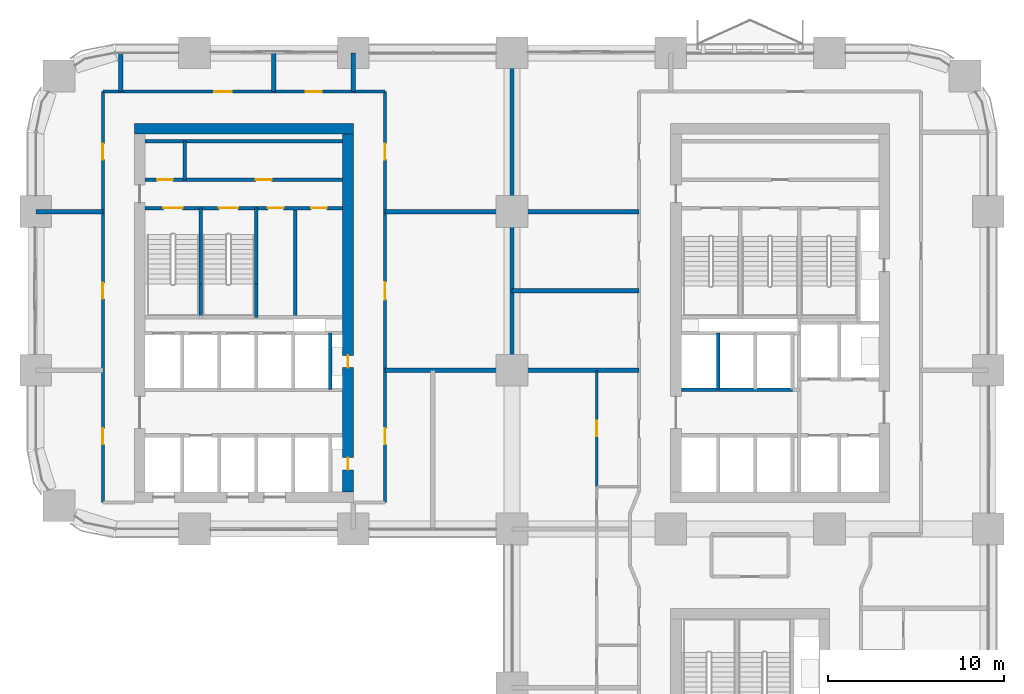
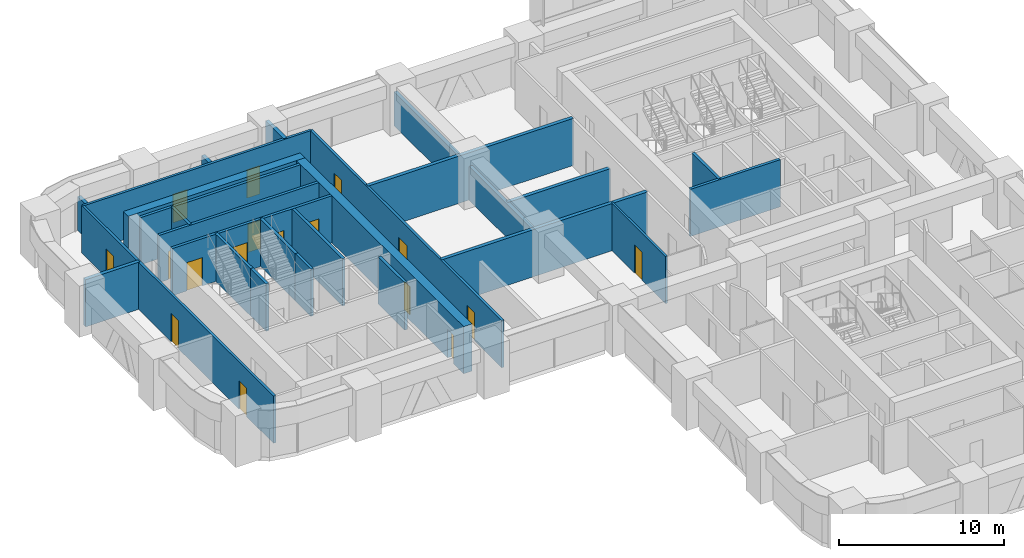
# One storey, part 14 of 26: 27 walls, 17 doors, 17 openings.
"""IFC4 building model written with IfcOpenShell, lengths in metres."""

from ifc_helpers import new_model, si_unit, direction, frame, frame_2d, origin, place, context, subcontext, project, spatial, rectangle, extrude, material, layer, layer_set, type_object, element, fill, save


model = new_model("IFC4")

# Units and contexts
model_context = context("Model", 3, precision=1e-05, world=origin(), true_north=direction((0.0, 1.0)))
body_context = subcontext(model_context, "Body", "Model", "MODEL_VIEW")
ifc_project = project(units=[si_unit("LENGTHUNIT", "METRE"), si_unit("AREAUNIT", "SQUARE_METRE"), si_unit("VOLUMEUNIT", "CUBIC_METRE"), si_unit("PLANEANGLEUNIT", "RADIAN"), si_unit("MASSUNIT", "GRAM", prefix="KILO")], contexts=[model_context])

# Site, building, storey
site_placement = place(None, origin())
site = spatial("IfcSite", under=ifc_project, at=site_placement, CompositionType="ELEMENT")
building_placement = place(site_placement, origin())
building = spatial("IfcBuilding", under=site, at=building_placement, Name="Tessera Arch", CompositionType="ELEMENT")
storey_placement = place(building_placement, frame((0.0, 0.0, 96.800048828125)))
storey = spatial("IfcBuildingStorey", under=building, at=storey_placement, Name="L22", CompositionType="ELEMENT", Elevation=96.800048828125)

# Walls
ifc_material_1 = material(Name="Gypsum board on steel stud", Category="steel")
ifc_layer_1 = layer(ifc_material_1, 0.125)
ifc_layer_set_1 = layer_set([ifc_layer_1], Name="Core partition 125 EI 60")
wall_type_1 = type_object("IfcWallType", Name="Core partition 125 EI 60", PredefinedType="PARTITIONING", material=ifc_layer_set_1)
wall_1_placement = place(storey_placement, frame((8.43994140625, 46.800048828125, 0.0), z_axis=(0.0, 0.0, 1.0), x_axis=(0.0, 1.0, 0.0)))
element("IfcWall", 1, at=wall_1_placement, inside=storey, type_object=wall_type_1, Name="L22 C2 partition wall 3", PredefinedType="PARTITIONING", context=body_context, shape_type="SweptSolid", body=[
    extrude(rectangle(XDim=2.199951171875, YDim=0.199951171875, at=frame_2d((1.10009765625, 0.0))), origin(), (0.0, 0.0, 1.0), 3.5),
])
wall_2_placement = place(storey_placement, frame((14.705078125, 39.0, 0.0), z_axis=(0.0, 0.0, 1.0), x_axis=(0.0, 1.0, 0.0)))
element("IfcWall", 2, at=wall_2_placement, inside=storey, type_object=wall_type_1, Name="L22 C2 partition wall 14", PredefinedType="PARTITIONING", context=body_context, shape_type="SweptSolid", body=[
    extrude(rectangle(XDim=6.199951171875, YDim=0.199951171875, at=frame_2d((3.10009765625, 0.0))), origin(), (0.0, 0.0, 1.0), 3.5),
])

# Wall, openings, doors
wall_3_placement = place(storey_placement, frame((12.5, 45.199951171875, 0.0), z_axis=(0.0, 0.0, 1.0), x_axis=(1.0, 0.0, 0.0)))
wall_3 = element("IfcWall", 3, at=wall_3_placement, inside=storey, type_object=wall_type_1, Name="L22 C2 partition wall 24", PredefinedType="PARTITIONING", context=body_context, shape_type="SweptSolid", body=[
    extrude(rectangle(XDim=4.89990234375, YDim=0.199951171875, at=frame_2d((2.449951171875, 0.0))), origin(), (0.0, 0.0, 1.0), 3.5),
])
opening_1_placement = place(wall_3_placement, frame((0.652587890625, 0.0, 0.0)))
opening_1 = element("IfcOpeningElement", 4, at=opening_1_placement, cuts=wall_3, Name="Opening L22-C29", PredefinedType="OPENING", context=body_context, shape_type="SweptSolid", body=[
    extrude(rectangle(XDim=0.89990234375, YDim=2.10009765625, at=frame_2d((0.449951171875, 1.050048828125))), frame((0.0, 0.10986328125, 0.0), z_axis=(0.0, -1.0, 0.0), x_axis=(1.0, 0.0, 0.0)), (0.0, 0.0, 1.0), 0.219970703125),
])
opening_2_placement = place(wall_3_placement, frame((3.1025390625, 0.0, 0.0)))
opening_2 = element("IfcOpeningElement", 5, at=opening_2_placement, cuts=wall_3, Name="Opening L22-C30", PredefinedType="OPENING", context=body_context, shape_type="SweptSolid", body=[
    extrude(rectangle(XDim=0.89990234375, YDim=2.10009765625, at=frame_2d((0.449951171875, 1.050048828125))), frame((0.0, 0.10986328125, 0.0), z_axis=(0.0, -1.0, 0.0), x_axis=(1.0, 0.0, 0.0)), (0.0, 0.0, 1.0), 0.219970703125),
])
ifc_material_2 = material(Name="Steel door leaf", Category="steel")
door_type_1 = type_object("IfcDoorType", Name="Store door FD30S 900 x 2100", OperationType="SINGLE_SWING_LEFT", PredefinedType="DOOR", material=ifc_material_2)
door_1_placement = place(opening_1_placement, origin())
door_1 = element("IfcDoor", 6, at=door_1_placement, inside=storey, type_object=door_type_1, Name="L22 C2 door 17 C29 type D09", OperationType="SINGLE_SWING_LEFT", OverallHeight=2.10009765625, OverallWidth=0.89990234375, PredefinedType="DOOR", context=body_context, shape_type="SweptSolid", body=[
    extrude(rectangle(XDim=0.89990234375, YDim=2.10009765625, at=frame_2d((0.449951171875, 1.050048828125))), frame((0.0, 0.02490234375, 0.0), z_axis=(0.0, -1.0, 0.0), x_axis=(1.0, 0.0, 0.0)), (0.0, 0.0, 1.0), 0.050048828125),
])
fill(opening_1, door_1)
door_2_placement = place(opening_2_placement, origin())
door_2 = element("IfcDoor", 7, at=door_2_placement, inside=storey, type_object=door_type_1, Name="L22 C2 door 18 C30 type D09", OperationType="SINGLE_SWING_RIGHT", OverallHeight=2.10009765625, OverallWidth=0.89990234375, PredefinedType="DOOR", context=body_context, shape_type="SweptSolid", body=[
    extrude(rectangle(XDim=0.89990234375, YDim=2.10009765625, at=frame_2d((0.449951171875, 1.050048828125))), frame((0.0, 0.02490234375, 0.0), z_axis=(0.0, -1.0, 0.0), x_axis=(1.0, 0.0, 0.0)), (0.0, 0.0, 1.0), 0.050048828125),
])
fill(opening_2, door_2)

wall_4_placement = place(storey_placement, frame((6.199951171875, 46.800048828125, 0.0), z_axis=(0.0, 0.0, 1.0), x_axis=(1.0, 0.0, 0.0)))
wall_4 = element("IfcWall", 8, at=wall_4_placement, inside=storey, type_object=wall_type_1, Name="L22 C2 partition wall 26", PredefinedType="PARTITIONING", context=body_context, shape_type="SweptSolid", body=[
    extrude(rectangle(XDim=11.199951171875, YDim=0.199951171875, at=frame_2d((5.60009765625, 0.0))), origin(), (0.0, 0.0, 1.0), 3.5),
])
opening_3_placement = place(wall_4_placement, frame((0.669921875, 0.0, 0.0)))
opening_3 = element("IfcOpeningElement", 9, at=opening_3_placement, cuts=wall_4, Name="Opening L22-C27", PredefinedType="OPENING", context=body_context, shape_type="SweptSolid", body=[
    extrude(rectangle(XDim=0.89990234375, YDim=2.10009765625, at=frame_2d((0.449951171875, 1.050048828125))), frame((0.0, 0.10986328125, 0.0), z_axis=(0.0, -1.0, 0.0), x_axis=(1.0, 0.0, 0.0)), (0.0, 0.0, 1.0), 0.219970703125),
])
opening_4_placement = place(wall_4_placement, frame((6.27001953125, 0.0, 0.0)))
opening_4 = element("IfcOpeningElement", 10, at=opening_4_placement, cuts=wall_4, Name="Opening L22-C28", PredefinedType="OPENING", context=body_context, shape_type="SweptSolid", body=[
    extrude(rectangle(XDim=0.89990234375, YDim=2.10009765625, at=frame_2d((0.449951171875, 1.050048828125))), frame((0.0, 0.10986328125, 0.0), z_axis=(0.0, -1.0, 0.0), x_axis=(1.0, 0.0, 0.0)), (0.0, 0.0, 1.0), 0.219970703125),
])
door_3_placement = place(opening_3_placement, origin())
door_3 = element("IfcDoor", 11, at=door_3_placement, inside=storey, type_object=door_type_1, Name="L22 C2 door 15 C27 type D09", OperationType="SINGLE_SWING_LEFT", OverallHeight=2.10009765625, OverallWidth=0.89990234375, PredefinedType="DOOR", context=body_context, shape_type="SweptSolid", body=[
    extrude(rectangle(XDim=0.89990234375, YDim=2.10009765625, at=frame_2d((0.449951171875, 1.050048828125))), frame((0.0, 0.02490234375, 0.0), z_axis=(0.0, -1.0, 0.0), x_axis=(1.0, 0.0, 0.0)), (0.0, 0.0, 1.0), 0.050048828125),
])
fill(opening_3, door_3)
door_4_placement = place(opening_4_placement, origin())
door_4 = element("IfcDoor", 12, at=door_4_placement, inside=storey, type_object=door_type_1, Name="L22 C2 door 16 C28 type D09", OperationType="SINGLE_SWING_RIGHT", OverallHeight=2.10009765625, OverallWidth=0.89990234375, PredefinedType="DOOR", context=body_context, shape_type="SweptSolid", body=[
    extrude(rectangle(XDim=0.89990234375, YDim=2.10009765625, at=frame_2d((0.449951171875, 1.050048828125))), frame((0.0, 0.02490234375, 0.0), z_axis=(0.0, -1.0, 0.0), x_axis=(1.0, 0.0, 0.0)), (0.0, 0.0, 1.0), 0.050048828125),
])
fill(opening_4, door_4)

# Walls
wall_5_placement = place(storey_placement, frame((6.199951171875, 49.0, 0.0), z_axis=(0.0, 0.0, 1.0), x_axis=(1.0, 0.0, 0.0)))
element("IfcWall", 13, at=wall_5_placement, inside=storey, type_object=wall_type_1, Name="L22 C2 partition wall 27", PredefinedType="PARTITIONING", context=body_context, shape_type="SweptSolid", body=[
    extrude(rectangle(XDim=11.199951171875, YDim=0.199951171875, at=frame_2d((5.60009765625, 0.0))), origin(), (0.0, 0.0, 1.0), 3.5),
])
ifc_material_3 = material(Name="Concrete C70/85", Category="concrete")
ifc_layer_2 = layer(ifc_material_3, 0.60009765625)
ifc_layer_set_2 = layer_set([ifc_layer_2], Name="Core shell wall 600 C70-85")
wall_type_2 = type_object("IfcWallType", Name="Core shell wall 600 C70-85", PredefinedType="SHEAR", material=ifc_layer_set_2)
wall_6_placement = place(storey_placement, frame((5.60009765625, 49.699951171875, 0.0), z_axis=(0.0, 0.0, 1.0), x_axis=(1.0, 0.0, 0.0)))
element("IfcWall", 14, at=wall_6_placement, inside=storey, type_object=wall_type_2, Name="L22 C2 core wall N", PredefinedType="SHEAR", context=body_context, shape_type="SweptSolid", body=[
    extrude(rectangle(XDim=12.39990234375, YDim=0.60009765625, at=frame_2d((6.199951171875, 0.0))), origin(), (0.0, 0.0, 1.0), 3.5),
])

# Wall, openings, doors
wall_7_placement = place(storey_placement, frame((17.699951171875, 29.10009765625, 0.0), z_axis=(0.0, 0.0, 1.0), x_axis=(0.0, 1.0, 0.0)))
wall_7 = element("IfcWall", 15, at=wall_7_placement, inside=storey, type_object=wall_type_2, Name="L22 C2 core wall E", PredefinedType="SHEAR", context=body_context, shape_type="SweptSolid", body=[
    extrude(rectangle(XDim=20.2998046875, YDim=0.60009765625, at=frame_2d((10.14990234375, 0.0))), origin(), (0.0, 0.0, 1.0), 3.5),
])
opening_5_placement = place(wall_7_placement, frame((1.25, 0.0, 0.0)))
opening_5 = element("IfcOpeningElement", 16, at=opening_5_placement, cuts=wall_7, Name="Opening L22-C21", PredefinedType="OPENING", context=body_context, shape_type="SweptSolid", body=[
    extrude(rectangle(XDim=0.699951171875, YDim=2.10009765625, at=frame_2d((0.35009765625, 1.050048828125))), frame((0.0, 0.31005859375, 0.0), z_axis=(0.0, -1.0, 0.0), x_axis=(1.0, 0.0, 0.0)), (0.0, 0.0, 1.0), 0.6201171875),
])
opening_6_placement = place(wall_7_placement, frame((7.050048828125, 0.0, 0.0)))
opening_6 = element("IfcOpeningElement", 17, at=opening_6_placement, cuts=wall_7, Name="Opening L22-C22", PredefinedType="OPENING", context=body_context, shape_type="SweptSolid", body=[
    extrude(rectangle(XDim=0.699951171875, YDim=2.10009765625, at=frame_2d((0.35009765625, 1.050048828125))), frame((0.0, 0.31005859375, 0.0), z_axis=(0.0, -1.0, 0.0), x_axis=(1.0, 0.0, 0.0)), (0.0, 0.0, 1.0), 0.6201171875),
])
ifc_material_4 = material(Name="Steel door leaf", Category="steel")
door_type_2 = type_object("IfcDoorType", Name="Service shaft door FD60 700 x 2100", OperationType="SINGLE_SWING_LEFT", PredefinedType="DOOR", material=ifc_material_4)
door_5_placement = place(opening_5_placement, origin())
door_5 = element("IfcDoor", 18, at=door_5_placement, inside=storey, type_object=door_type_2, Name="L22 C2 door 9 C21 type D07", OperationType="SINGLE_SWING_LEFT", OverallHeight=2.10009765625, OverallWidth=0.699951171875, PredefinedType="DOOR", context=body_context, shape_type="SweptSolid", body=[
    extrude(rectangle(XDim=0.699951171875, YDim=2.10009765625, at=frame_2d((0.35009765625, 1.050048828125))), frame((0.0, 0.02490234375, 0.0), z_axis=(0.0, -1.0, 0.0), x_axis=(1.0, 0.0, 0.0)), (0.0, 0.0, 1.0), 0.050048828125),
])
fill(opening_5, door_5)
door_6_placement = place(opening_6_placement, origin())
door_6 = element("IfcDoor", 19, at=door_6_placement, inside=storey, type_object=door_type_2, Name="L22 C2 door 10 C22 type D07", OperationType="SINGLE_SWING_LEFT", OverallHeight=2.10009765625, OverallWidth=0.699951171875, PredefinedType="DOOR", context=body_context, shape_type="SweptSolid", body=[
    extrude(rectangle(XDim=0.699951171875, YDim=2.10009765625, at=frame_2d((0.35009765625, 1.050048828125))), frame((0.0, 0.02490234375, 0.0), z_axis=(0.0, -1.0, 0.0), x_axis=(1.0, 0.0, 0.0)), (0.0, 0.0, 1.0), 0.050048828125),
])
fill(opening_6, door_6)

ifc_material_5 = material(Name="Gypsum board on deep steel stud with mineral wool", Category="steel")
ifc_layer_3 = layer(ifc_material_5, 0.175048828125)
ifc_layer_set_3 = layer_set([ifc_layer_3], Name="Corridor wall 175 EI 60")
wall_type_3 = type_object("IfcWallType", Name="Corridor wall 175 EI 60", PredefinedType="PARTITIONING", material=ifc_layer_set_3)
wall_8_placement = place(storey_placement, frame((3.800048828125, 51.800048828125, 0.0), z_axis=(0.0, 0.0, 1.0), x_axis=(1.0, 0.0, 0.0)))
wall_8 = element("IfcWall", 20, at=wall_8_placement, inside=storey, type_object=wall_type_3, Name="L22 partition 7", PredefinedType="PARTITIONING", context=body_context, shape_type="SweptSolid", body=[
    extrude(rectangle(XDim=16.0, YDim=0.175048828125, at=frame_2d((8.0, 0.0))), origin(), (0.0, 0.0, 1.0), 3.5),
])
opening_7_placement = place(wall_8_placement, frame((6.314453125, 0.0, 0.0)))
opening_7 = element("IfcOpeningElement", 21, at=opening_7_placement, cuts=wall_8, Name="Opening L22-D034", PredefinedType="OPENING", context=body_context, shape_type="SweptSolid", body=[
    extrude(rectangle(XDim=1.0, YDim=2.10009765625, at=frame_2d((0.5, 1.050048828125))), frame((0.0, 0.097412109375, 0.0), z_axis=(0.0, -1.0, 0.0), x_axis=(1.0, 0.0, 0.0)), (0.0, 0.0, 1.0), 0.195068359375),
])
opening_8_placement = place(wall_8_placement, frame((11.5, 0.0, 0.0)))
opening_8 = element("IfcOpeningElement", 22, at=opening_8_placement, cuts=wall_8, Name="Opening L22-D035", PredefinedType="OPENING", context=body_context, shape_type="SweptSolid", body=[
    extrude(rectangle(XDim=0.89990234375, YDim=2.10009765625, at=frame_2d((0.449951171875, 1.050048828125))), frame((0.0, 0.097412109375, 0.0), z_axis=(0.0, -1.0, 0.0), x_axis=(1.0, 0.0, 0.0)), (0.0, 0.0, 1.0), 0.195068359375),
])
ifc_material_6 = material(Name="Fire-rated door leaf")
door_type_3 = type_object("IfcDoorType", Name="Entrance door FD30S 1000 x 2100", OperationType="SINGLE_SWING_LEFT", PredefinedType="DOOR", material=ifc_material_6)
door_7_placement = place(opening_7_placement, origin())
door_7 = element("IfcDoor", 23, at=door_7_placement, inside=storey, type_object=door_type_3, Name="L22 door D034 type D03", OperationType="SINGLE_SWING_RIGHT", OverallHeight=2.10009765625, OverallWidth=1.0, PredefinedType="DOOR", context=body_context, shape_type="SweptSolid", body=[
    extrude(rectangle(XDim=1.0, YDim=2.10009765625, at=frame_2d((0.5, 1.050048828125))), frame((0.0, 0.02490234375, 0.0), z_axis=(0.0, -1.0, 0.0), x_axis=(1.0, 0.0, 0.0)), (0.0, 0.0, 1.0), 0.050048828125),
])
fill(opening_7, door_7)
ifc_material_7 = material(Name="Timber door leaf", Category="wood")
door_type_4 = type_object("IfcDoorType", Name="Room door 900 x 2100", OperationType="SINGLE_SWING_LEFT", PredefinedType="DOOR", material=ifc_material_7)
door_8_placement = place(opening_8_placement, origin())
door_8 = element("IfcDoor", 24, at=door_8_placement, inside=storey, type_object=door_type_4, Name="L22 door D035 type D01", OperationType="SINGLE_SWING_LEFT", OverallHeight=2.10009765625, OverallWidth=0.89990234375, PredefinedType="DOOR", context=body_context, shape_type="SweptSolid", body=[
    extrude(rectangle(XDim=0.89990234375, YDim=2.10009765625, at=frame_2d((0.449951171875, 1.050048828125))), frame((0.0, 0.02490234375, 0.0), z_axis=(0.0, -1.0, 0.0), x_axis=(1.0, 0.0, 0.0)), (0.0, 0.0, 1.0), 0.050048828125),
])
fill(opening_8, door_8)

wall_9_placement = place(storey_placement, frame((3.800048828125, 28.5, 0.0), z_axis=(0.0, 0.0, 1.0), x_axis=(0.0, 1.0, 0.0)))
wall_9 = element("IfcWall", 25, at=wall_9_placement, inside=storey, type_object=wall_type_3, Name="L22 partition 9", PredefinedType="PARTITIONING", context=body_context, shape_type="SweptSolid", body=[
    extrude(rectangle(XDim=23.300048828125, YDim=0.175048828125, at=frame_2d((11.64990234375, 0.0))), origin(), (0.0, 0.0, 1.0), 3.5),
])
opening_9_placement = place(wall_9_placement, frame((3.300048828125, 0.0, 0.0)))
opening_9 = element("IfcOpeningElement", 26, at=opening_9_placement, cuts=wall_9, Name="Opening L22-D020", PredefinedType="OPENING", context=body_context, shape_type="SweptSolid", body=[
    extrude(rectangle(XDim=0.89990234375, YDim=2.10009765625, at=frame_2d((0.449951171875, 1.050048828125))), frame((0.0, 0.097412109375, 0.0), z_axis=(0.0, -1.0, 0.0), x_axis=(1.0, 0.0, 0.0)), (0.0, 0.0, 1.0), 0.195068359375),
])
opening_10_placement = place(wall_9_placement, frame((11.550048828125, 0.0, 0.0)))
opening_10 = element("IfcOpeningElement", 27, at=opening_10_placement, cuts=wall_9, Name="Opening L22-D026", PredefinedType="OPENING", context=body_context, shape_type="SweptSolid", body=[
    extrude(rectangle(XDim=0.89990234375, YDim=2.10009765625, at=frame_2d((0.449951171875, 1.050048828125))), frame((0.0, 0.097412109375, 0.0), z_axis=(0.0, -1.0, 0.0), x_axis=(1.0, 0.0, 0.0)), (0.0, 0.0, 1.0), 0.195068359375),
])
opening_11_placement = place(wall_9_placement, frame((19.449951171875, 0.0, 0.0)))
opening_11 = element("IfcOpeningElement", 28, at=opening_11_placement, cuts=wall_9, Name="Opening L22-D030", PredefinedType="OPENING", context=body_context, shape_type="SweptSolid", body=[
    extrude(rectangle(XDim=0.89990234375, YDim=2.10009765625, at=frame_2d((0.449951171875, 1.050048828125))), frame((0.0, 0.097412109375, 0.0), z_axis=(0.0, -1.0, 0.0), x_axis=(1.0, 0.0, 0.0)), (0.0, 0.0, 1.0), 0.195068359375),
])
door_9_placement = place(opening_9_placement, origin())
door_9 = element("IfcDoor", 29, at=door_9_placement, inside=storey, type_object=door_type_4, Name="L22 door D020 type D01", OperationType="SINGLE_SWING_RIGHT", OverallHeight=2.10009765625, OverallWidth=0.89990234375, PredefinedType="DOOR", context=body_context, shape_type="SweptSolid", body=[
    extrude(rectangle(XDim=0.89990234375, YDim=2.10009765625, at=frame_2d((0.449951171875, 1.050048828125))), frame((0.0, 0.02490234375, 0.0), z_axis=(0.0, -1.0, 0.0), x_axis=(1.0, 0.0, 0.0)), (0.0, 0.0, 1.0), 0.050048828125),
])
fill(opening_9, door_9)
door_10_placement = place(opening_10_placement, origin())
door_10 = element("IfcDoor", 30, at=door_10_placement, inside=storey, type_object=door_type_4, Name="L22 door D026 type D01", OperationType="SINGLE_SWING_RIGHT", OverallHeight=2.10009765625, OverallWidth=0.89990234375, PredefinedType="DOOR", context=body_context, shape_type="SweptSolid", body=[
    extrude(rectangle(XDim=0.89990234375, YDim=2.10009765625, at=frame_2d((0.449951171875, 1.050048828125))), frame((0.0, 0.02490234375, 0.0), z_axis=(0.0, -1.0, 0.0), x_axis=(1.0, 0.0, 0.0)), (0.0, 0.0, 1.0), 0.050048828125),
])
fill(opening_10, door_10)
door_11_placement = place(opening_11_placement, origin())
door_11 = element("IfcDoor", 31, at=door_11_placement, inside=storey, type_object=door_type_4, Name="L22 door D030 type D01", OperationType="SINGLE_SWING_RIGHT", OverallHeight=2.10009765625, OverallWidth=0.89990234375, PredefinedType="DOOR", context=body_context, shape_type="SweptSolid", body=[
    extrude(rectangle(XDim=0.89990234375, YDim=2.10009765625, at=frame_2d((0.449951171875, 1.050048828125))), frame((0.0, 0.02490234375, 0.0), z_axis=(0.0, -1.0, 0.0), x_axis=(1.0, 0.0, 0.0)), (0.0, 0.0, 1.0), 0.050048828125),
])
fill(opening_11, door_11)

wall_10_placement = place(storey_placement, frame((19.800048828125, 28.5, 0.0), z_axis=(0.0, 0.0, 1.0), x_axis=(0.0, 1.0, 0.0)))
wall_10 = element("IfcWall", 32, at=wall_10_placement, inside=storey, type_object=wall_type_3, Name="L22 partition 10", PredefinedType="PARTITIONING", context=body_context, shape_type="SweptSolid", body=[
    extrude(rectangle(XDim=23.300048828125, YDim=0.175048828125, at=frame_2d((11.64990234375, 0.0))), origin(), (0.0, 0.0, 1.0), 3.5),
])
opening_12_placement = place(wall_10_placement, frame((3.300048828125, 0.0, 0.0)))
opening_12 = element("IfcOpeningElement", 33, at=opening_12_placement, cuts=wall_10, Name="Opening L22-D021", PredefinedType="OPENING", context=body_context, shape_type="SweptSolid", body=[
    extrude(rectangle(XDim=0.89990234375, YDim=2.10009765625, at=frame_2d((0.449951171875, 1.050048828125))), frame((0.0, 0.097412109375, 0.0), z_axis=(0.0, -1.0, 0.0), x_axis=(1.0, 0.0, 0.0)), (0.0, 0.0, 1.0), 0.195068359375),
])
opening_13_placement = place(wall_10_placement, frame((11.5, 0.0, 0.0)))
opening_13 = element("IfcOpeningElement", 34, at=opening_13_placement, cuts=wall_10, Name="Opening L22-D027", PredefinedType="OPENING", context=body_context, shape_type="SweptSolid", body=[
    extrude(rectangle(XDim=1.0, YDim=2.10009765625, at=frame_2d((0.5, 1.050048828125))), frame((0.0, 0.097412109375, 0.0), z_axis=(0.0, -1.0, 0.0), x_axis=(1.0, 0.0, 0.0)), (0.0, 0.0, 1.0), 0.195068359375),
])
opening_14_placement = place(wall_10_placement, frame((19.449951171875, 0.0, 0.0)))
opening_14 = element("IfcOpeningElement", 35, at=opening_14_placement, cuts=wall_10, Name="Opening L22-D031", PredefinedType="OPENING", context=body_context, shape_type="SweptSolid", body=[
    extrude(rectangle(XDim=0.89990234375, YDim=2.10009765625, at=frame_2d((0.449951171875, 1.050048828125))), frame((0.0, 0.097412109375, 0.0), z_axis=(0.0, -1.0, 0.0), x_axis=(1.0, 0.0, 0.0)), (0.0, 0.0, 1.0), 0.195068359375),
])
door_12_placement = place(opening_13_placement, origin())
door_12 = element("IfcDoor", 36, at=door_12_placement, inside=storey, type_object=door_type_3, Name="L22 door D027 type D03", OperationType="SINGLE_SWING_RIGHT", OverallHeight=2.10009765625, OverallWidth=1.0, PredefinedType="DOOR", context=body_context, shape_type="SweptSolid", body=[
    extrude(rectangle(XDim=1.0, YDim=2.10009765625, at=frame_2d((0.5, 1.050048828125))), frame((0.0, 0.02490234375, 0.0), z_axis=(0.0, -1.0, 0.0), x_axis=(1.0, 0.0, 0.0)), (0.0, 0.0, 1.0), 0.050048828125),
])
fill(opening_13, door_12)
door_13_placement = place(opening_12_placement, origin())
door_13 = element("IfcDoor", 37, at=door_13_placement, inside=storey, type_object=door_type_4, Name="L22 door D021 type D01", OperationType="SINGLE_SWING_RIGHT", OverallHeight=2.10009765625, OverallWidth=0.89990234375, PredefinedType="DOOR", context=body_context, shape_type="SweptSolid", body=[
    extrude(rectangle(XDim=0.89990234375, YDim=2.10009765625, at=frame_2d((0.449951171875, 1.050048828125))), frame((0.0, 0.02490234375, 0.0), z_axis=(0.0, -1.0, 0.0), x_axis=(1.0, 0.0, 0.0)), (0.0, 0.0, 1.0), 0.050048828125),
])
fill(opening_12, door_13)
door_14_placement = place(opening_14_placement, origin())
door_14 = element("IfcDoor", 38, at=door_14_placement, inside=storey, type_object=door_type_4, Name="L22 door D031 type D01", OperationType="SINGLE_SWING_RIGHT", OverallHeight=2.10009765625, OverallWidth=0.89990234375, PredefinedType="DOOR", context=body_context, shape_type="SweptSolid", body=[
    extrude(rectangle(XDim=0.89990234375, YDim=2.10009765625, at=frame_2d((0.449951171875, 1.050048828125))), frame((0.0, 0.02490234375, 0.0), z_axis=(0.0, -1.0, 0.0), x_axis=(1.0, 0.0, 0.0)), (0.0, 0.0, 1.0), 0.050048828125),
])
fill(opening_14, door_14)

# Wall, opening, door
ifc_material_8 = material(Name="Gypsum board on steel stud", Category="steel")
ifc_layer_4 = layer(ifc_material_8, 0.14990234375)
ifc_layer_set_4 = layer_set([ifc_layer_4], Name="Partition 150")
wall_type_4 = type_object("IfcWallType", Name="Partition 150", PredefinedType="PARTITIONING", material=ifc_layer_set_4)
wall_11_placement = place(storey_placement, frame((31.800048828125, 29.39990234375, 0.0), z_axis=(0.0, 0.0, 1.0), x_axis=(0.0, 1.0, 0.0)))
wall_11 = element("IfcWall", 39, at=wall_11_placement, inside=storey, type_object=wall_type_4, Name="L22 partition 22", PredefinedType="PARTITIONING", context=body_context, shape_type="SweptSolid", body=[
    extrude(rectangle(XDim=6.60009765625, YDim=0.14990234375, at=frame_2d((3.300048828125, 0.0))), origin(), (0.0, 0.0, 1.0), 3.5),
])
opening_15_placement = place(wall_11_placement, frame((2.85009765625, 0.0, 0.0)))
opening_15 = element("IfcOpeningElement", 40, at=opening_15_placement, cuts=wall_11, Name="Opening L22-D023", PredefinedType="OPENING", context=body_context, shape_type="SweptSolid", body=[
    extrude(rectangle(XDim=0.89990234375, YDim=2.10009765625, at=frame_2d((0.449951171875, 1.050048828125))), frame((0.0, 0.0849609375, 0.0), z_axis=(0.0, -1.0, 0.0), x_axis=(1.0, 0.0, 0.0)), (0.0, 0.0, 1.0), 0.169921875),
])
door_15_placement = place(opening_15_placement, origin())
door_15 = element("IfcDoor", 41, at=door_15_placement, inside=storey, type_object=door_type_4, Name="L22 door D023 type D01", OperationType="SINGLE_SWING_LEFT", OverallHeight=2.10009765625, OverallWidth=0.89990234375, PredefinedType="DOOR", context=body_context, shape_type="SweptSolid", body=[
    extrude(rectangle(XDim=0.89990234375, YDim=2.10009765625, at=frame_2d((0.449951171875, 1.050048828125))), frame((0.0, 0.02490234375, 0.0), z_axis=(0.0, -1.0, 0.0), x_axis=(1.0, 0.0, 0.0)), (0.0, 0.0, 1.0), 0.050048828125),
])
fill(opening_15, door_15)

# Walls
ifc_material_9 = material(Name="Double gypsum board on twin steel stud with acoustic mineral wool", Category="steel")
ifc_layer_5 = layer(ifc_material_9, 0.25)
ifc_layer_set_5 = layer_set([ifc_layer_5], Name="Party wall 250 EI 60")
wall_type_5 = type_object("IfcWallType", Name="Party wall 250 EI 60", PredefinedType="PARTITIONING", material=ifc_layer_set_5)
wall_12_placement = place(storey_placement, frame((19.800048828125, 36.0, 0.0), z_axis=(0.0, 0.0, 1.0), x_axis=(1.0, 0.0, 0.0)))
element("IfcWall", 42, at=wall_12_placement, inside=storey, type_object=wall_type_5, Name="L22 partition 32", PredefinedType="PARTITIONING", context=body_context, shape_type="SweptSolid", body=[
    extrude(rectangle(XDim=14.39990234375, YDim=0.25, at=frame_2d((7.199951171875, 0.0))), origin(), (0.0, 0.0, 1.0), 3.5),
])
wall_13_placement = place(storey_placement, frame((27.0, 40.5, 0.0), z_axis=(0.0, 0.0, 1.0), x_axis=(1.0, 0.0, 0.0)))
element("IfcWall", 43, at=wall_13_placement, inside=storey, type_object=wall_type_5, Name="L22 partition 34", PredefinedType="PARTITIONING", context=body_context, shape_type="SweptSolid", body=[
    extrude(rectangle(XDim=7.199951171875, YDim=0.25, at=frame_2d((3.60009765625, 0.0))), origin(), (0.0, 0.0, 1.0), 2.5),
])
wall_14_placement = place(storey_placement, frame((0.0, 45.0, 0.0), z_axis=(0.0, 0.0, 1.0), x_axis=(1.0, 0.0, 0.0)))
element("IfcWall", 44, at=wall_14_placement, inside=storey, type_object=wall_type_5, Name="L22 partition 35", PredefinedType="PARTITIONING", context=body_context, shape_type="SweptSolid", body=[
    extrude(rectangle(XDim=3.800048828125, YDim=0.25, at=frame_2d((1.89990234375, 0.0))), origin(), (0.0, 0.0, 1.0), 3.5),
])
wall_15_placement = place(storey_placement, frame((19.800048828125, 45.0, 0.0), z_axis=(0.0, 0.0, 1.0), x_axis=(1.0, 0.0, 0.0)))
element("IfcWall", 45, at=wall_15_placement, inside=storey, type_object=wall_type_5, Name="L22 partition 36", PredefinedType="PARTITIONING", context=body_context, shape_type="SweptSolid", body=[
    extrude(rectangle(XDim=14.39990234375, YDim=0.25, at=frame_2d((7.199951171875, 0.0))), origin(), (0.0, 0.0, 1.0), 3.5),
])
for number, where, z_axis, x_axis, name in (
    (46, (4.81494140625, 51.800048828125, 0.0), (0.0, 0.0, 1.0), (0.0, 1.0, 0.0), "L22 partition 38"),
    (47, (13.5, 51.800048828125, 0.0), (0.0, 0.0, 1.0), (0.0, 1.0, 0.0), "L22 partition 39"),
):
    element("IfcWall", number, at=place(storey_placement, frame(where, z_axis=z_axis, x_axis=x_axis)), inside=storey, type_object=wall_type_5, Name=name, PredefinedType="PARTITIONING", context=body_context, shape_type="SweptSolid", body=[
        extrude(rectangle(XDim=2.199951171875, YDim=0.25, at=frame_2d((1.10009765625, 0.0))), origin(), (0.0, 0.0, 1.0), 2.5),
    ])
wall_16_placement = place(storey_placement, frame((18.0, 51.800048828125, 0.0), z_axis=(0.0, 0.0, 1.0), x_axis=(0.0, 1.0, 0.0)))
element("IfcWall", 48, at=wall_16_placement, inside=storey, type_object=wall_type_5, Name="L22 partition 41", PredefinedType="PARTITIONING", context=body_context, shape_type="SweptSolid", body=[
    extrude(rectangle(XDim=2.199951171875, YDim=0.25, at=frame_2d((1.10009765625, 0.0))), origin(), (0.0, 0.0, 1.0), 3.5),
])
wall_17_placement = place(storey_placement, frame((27.0, 36.0, 0.0), z_axis=(0.0, 0.0, 1.0), x_axis=(0.0, 1.0, 0.0)))
element("IfcWall", 49, at=wall_17_placement, inside=storey, type_object=wall_type_5, Name="L22 partition 43", PredefinedType="PARTITIONING", context=body_context, shape_type="SweptSolid", body=[
    extrude(rectangle(XDim=18.0, YDim=0.25, at=frame_2d((9.0, 0.0))), origin(), (0.0, 0.0, 1.0), 2.5),
])
ifc_material_10 = material(Name="Concrete C40/50", Category="concrete")
ifc_layer_6 = layer(ifc_material_10, 0.199951171875)
ifc_layer_set_6 = layer_set([ifc_layer_6], Name="Shaft wall 200 EI 120")
wall_type_6 = type_object("IfcWallType", Name="Shaft wall 200 EI 120", PredefinedType="SOLIDWALL", material=ifc_layer_set_6)
wall_18_placement = place(storey_placement, frame((38.699951171875, 34.89990234375, 0.0), z_axis=(0.0, 0.0, 1.0), x_axis=(0.0, 1.0, 0.0)))
element("IfcWall", 50, at=wall_18_placement, inside=storey, type_object=wall_type_6, Name="L22 C1 shaft wall 2", PredefinedType="SOLIDWALL", context=body_context, shape_type="SweptSolid", body=[
    extrude(rectangle(XDim=3.2001953125, YDim=0.199951171875, at=frame_2d((1.60009765625, 0.0))), origin(), (0.0, 0.0, 1.0), 3.5),
])
wall_19_placement = place(storey_placement, frame((36.60009765625, 34.89990234375, 0.0), z_axis=(0.0, 0.0, 1.0), x_axis=(1.0, 0.0, 0.0)))
element("IfcWall", 51, at=wall_19_placement, inside=storey, type_object=wall_type_6, Name="L22 C1 shaft wall 19", PredefinedType="SOLIDWALL", context=body_context, shape_type="SweptSolid", body=[
    extrude(rectangle(XDim=6.2998046875, YDim=0.199951171875, at=frame_2d((3.14990234375, 0.0))), origin(), (0.0, 0.0, 1.0), 3.5),
])
wall_20_placement = place(storey_placement, frame((16.699951171875, 34.89990234375, 0.0), z_axis=(0.0, 0.0, 1.0), x_axis=(0.0, 1.0, 0.0)))
element("IfcWall", 52, at=wall_20_placement, inside=storey, type_object=wall_type_6, Name="L22 C2 shaft wall 16", PredefinedType="SOLIDWALL", context=body_context, shape_type="SweptSolid", body=[
    extrude(rectangle(XDim=3.2001953125, YDim=0.199951171875, at=frame_2d((1.60009765625, 0.0))), origin(), (0.0, 0.0, 1.0), 3.5),
])
ifc_material_11 = material(Name="Concrete C40/50", Category="concrete")
ifc_layer_7 = layer(ifc_material_11, 0.199951171875)
ifc_layer_set_7 = layer_set([ifc_layer_7], Name="Stair well wall 200 REI 180")
wall_type_7 = type_object("IfcWallType", Name="Stair well wall 200 REI 180", PredefinedType="SOLIDWALL", material=ifc_layer_set_7)
wall_21_placement = place(storey_placement, frame((9.35009765625, 39.0, 0.0), z_axis=(0.0, 0.0, 1.0), x_axis=(0.0, 1.0, 0.0)))
element("IfcWall", 53, at=wall_21_placement, inside=storey, type_object=wall_type_7, Name="L22 C2 shaft wall 4", PredefinedType="SOLIDWALL", context=body_context, shape_type="SweptSolid", body=[
    extrude(rectangle(XDim=1.89990234375, YDim=0.199951171875, at=frame_2d((0.949951171875, 0.0))), origin(), (0.0, 0.0, 1.0), 3.5),
])
wall_22_placement = place(storey_placement, frame((9.35009765625, 40.89990234375, 0.0), z_axis=(0.0, 0.0, 1.0), x_axis=(0.0, 1.0, 0.0)))
element("IfcWall", 54, at=wall_22_placement, inside=storey, type_object=wall_type_7, Name="L22 C2 shaft wall 5", PredefinedType="SOLIDWALL", context=body_context, shape_type="SweptSolid", body=[
    extrude(rectangle(XDim=4.300048828125, YDim=0.199951171875, at=frame_2d((2.14990234375, 0.0))), origin(), (0.0, 0.0, 1.0), 3.5),
])
wall_23_placement = place(storey_placement, frame((12.5, 39.0, 0.0), z_axis=(0.0, 0.0, 1.0), x_axis=(0.0, 1.0, 0.0)))
element("IfcWall", 55, at=wall_23_placement, inside=storey, type_object=wall_type_7, Name="L22 C2 shaft wall 10", PredefinedType="SOLIDWALL", context=body_context, shape_type="SweptSolid", body=[
    extrude(rectangle(XDim=1.89990234375, YDim=0.199951171875, at=frame_2d((0.949951171875, 0.0))), origin(), (0.0, 0.0, 1.0), 3.5),
])
wall_24_placement = place(storey_placement, frame((12.5, 40.89990234375, 0.0), z_axis=(0.0, 0.0, 1.0), x_axis=(0.0, 1.0, 0.0)))
element("IfcWall", 56, at=wall_24_placement, inside=storey, type_object=wall_type_7, Name="L22 C2 shaft wall 11", PredefinedType="SOLIDWALL", context=body_context, shape_type="SweptSolid", body=[
    extrude(rectangle(XDim=4.300048828125, YDim=0.199951171875, at=frame_2d((2.14990234375, 0.0))), origin(), (0.0, 0.0, 1.0), 3.5),
])

# Wall, openings, doors
wall_25_placement = place(storey_placement, frame((6.199951171875, 45.199951171875, 0.0), z_axis=(0.0, 0.0, 1.0), x_axis=(1.0, 0.0, 0.0)))
wall_25 = element("IfcWall", 57, at=wall_25_placement, inside=storey, type_object=wall_type_7, Name="L22 C2 shaft wall 25", PredefinedType="SOLIDWALL", context=body_context, shape_type="SweptSolid", body=[
    extrude(rectangle(XDim=6.300048828125, YDim=0.199951171875, at=frame_2d((3.14990234375, 0.0))), origin(), (0.0, 0.0, 1.0), 3.5),
])
opening_16_placement = place(wall_25_placement, frame((1.02490234375, 0.0, 0.0)))
opening_16 = element("IfcOpeningElement", 58, at=opening_16_placement, cuts=wall_25, Name="Opening L22-C24", PredefinedType="OPENING", context=body_context, shape_type="SweptSolid", body=[
    extrude(rectangle(XDim=1.10009765625, YDim=2.10009765625, at=frame_2d((0.550048828125, 1.050048828125))), frame((0.0, 0.10986328125, 0.0), z_axis=(0.0, -1.0, 0.0), x_axis=(1.0, 0.0, 0.0)), (0.0, 0.0, 1.0), 0.219970703125),
])
opening_17_placement = place(wall_25_placement, frame((4.175048828125, 0.0, 0.0)))
opening_17 = element("IfcOpeningElement", 59, at=opening_17_placement, cuts=wall_25, Name="Opening L22-C25", PredefinedType="OPENING", context=body_context, shape_type="SweptSolid", body=[
    extrude(rectangle(XDim=1.10009765625, YDim=2.10009765625, at=frame_2d((0.550048828125, 1.050048828125))), frame((0.0, 0.10986328125, 0.0), z_axis=(0.0, -1.0, 0.0), x_axis=(1.0, 0.0, 0.0)), (0.0, 0.0, 1.0), 0.219970703125),
])
ifc_material_12 = material(Name="Steel door leaf", Category="steel")
door_type_5 = type_object("IfcDoorType", Name="Stair door FD60 1100 x 2100", OperationType="SINGLE_SWING_LEFT", PredefinedType="DOOR", material=ifc_material_12)
door_16_placement = place(opening_16_placement, origin())
door_16 = element("IfcDoor", 60, at=door_16_placement, inside=storey, type_object=door_type_5, Name="L22 C2 door 12 C24 type D05", OperationType="SINGLE_SWING_LEFT", OverallHeight=2.10009765625, OverallWidth=1.10009765625, PredefinedType="DOOR", context=body_context, shape_type="SweptSolid", body=[
    extrude(rectangle(XDim=1.10009765625, YDim=2.10009765625, at=frame_2d((0.550048828125, 1.050048828125))), frame((0.0, 0.02490234375, 0.0), z_axis=(0.0, -1.0, 0.0), x_axis=(1.0, 0.0, 0.0)), (0.0, 0.0, 1.0), 0.050048828125),
])
fill(opening_16, door_16)
door_17_placement = place(opening_17_placement, origin())
door_17 = element("IfcDoor", 61, at=door_17_placement, inside=storey, type_object=door_type_5, Name="L22 C2 door 13 C25 type D05", OperationType="SINGLE_SWING_RIGHT", OverallHeight=2.10009765625, OverallWidth=1.10009765625, PredefinedType="DOOR", context=body_context, shape_type="SweptSolid", body=[
    extrude(rectangle(XDim=1.10009765625, YDim=2.10009765625, at=frame_2d((0.550048828125, 1.050048828125))), frame((0.0, 0.02490234375, 0.0), z_axis=(0.0, -1.0, 0.0), x_axis=(1.0, 0.0, 0.0)), (0.0, 0.0, 1.0), 0.050048828125),
])
fill(opening_17, door_17)

save(model, "model.ifc")
